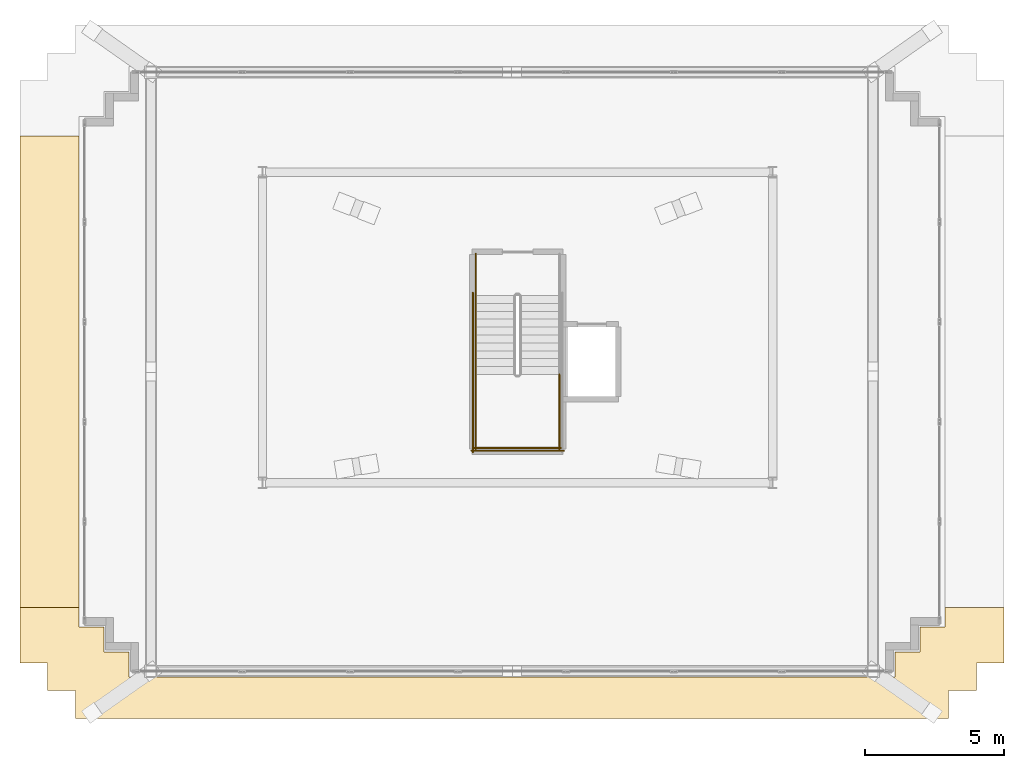
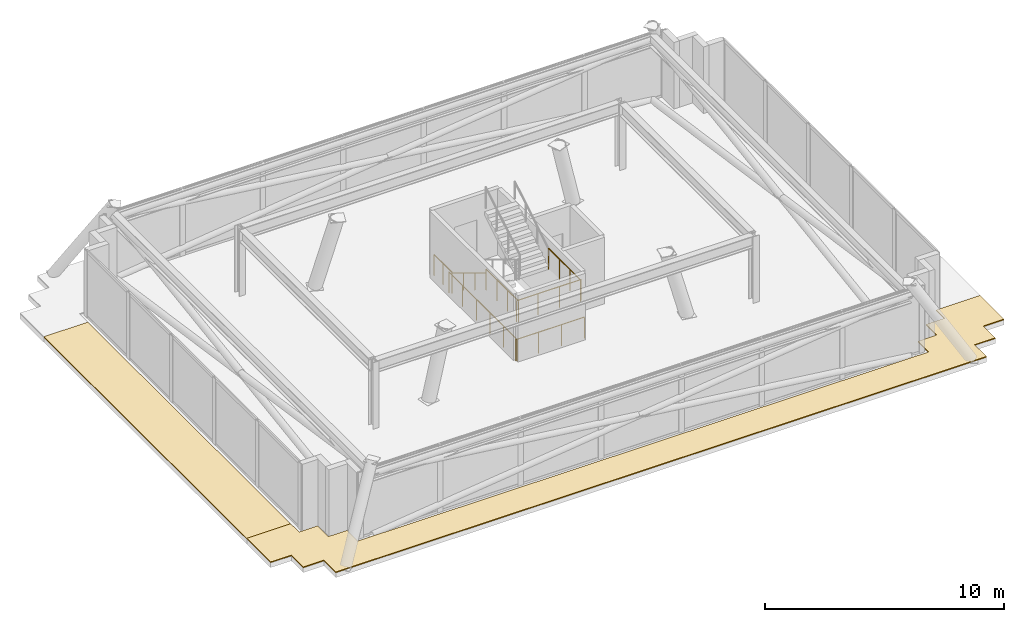
# One storey, part 13 of 15: 7 railings, 2 coverings.
"""IFC4 building model written with IfcOpenShell, lengths in metres."""

from ifc_helpers import new_model, si_unit, direction, frame, origin, origin_2d, place, context, subcontext, project, spatial, polyline, circle, outline, extrude, material, layer, layer_set, type_object, element, save


model = new_model("IFC4")

# Units and contexts
model_context = context("Model", 3, precision=1e-05, world=origin(), true_north=direction((0.0, 1.0)))
body_context = subcontext(model_context, "Body", "Model", "MODEL_VIEW")
ifc_project = project(units=[si_unit("LENGTHUNIT", "METRE"), si_unit("AREAUNIT", "SQUARE_METRE"), si_unit("VOLUMEUNIT", "CUBIC_METRE"), si_unit("PLANEANGLEUNIT", "RADIAN"), si_unit("MASSUNIT", "GRAM", prefix="KILO")], contexts=[model_context])

# Site, building, storey
site_placement = place(None, origin())
site = spatial("IfcSite", under=ifc_project, at=site_placement, CompositionType="ELEMENT")
building_placement = place(site_placement, origin())
building = spatial("IfcBuilding", under=site, at=building_placement, Name="Qobustan Lattice House", CompositionType="ELEMENT")
storey_placement = place(building_placement, frame((0.0, 0.0, 281.60009765625)))
storey = spatial("IfcBuildingStorey", under=building, at=storey_placement, Name="L79", CompositionType="ELEMENT", Elevation=281.60009765625)

# Coverings
ifc_material_1 = material(Name="Insulated stone-ballasted roof membrane", Category="masonry")
ifc_layer = layer(ifc_material_1, 0.050048828125)
ifc_layer_set = layer_set([ifc_layer], Name="Insulated stone-ballasted roof membrane")
covering_type = type_object("IfcCoveringType", Name="COV-ROOF-MEMB", PredefinedType="ROOFING", material=ifc_layer_set)
covering_1_placement = place(storey_placement, origin())
element("IfcCovering", 1, at=covering_1_placement, inside=storey, type_object=covering_type, Name="L79 crown step roof membrane 1", PredefinedType="ROOFING", context=body_context, shape_type="SweptSolid", body=[
    extrude(outline(polyline([(-15.946533203125, -13.103515625), (-15.946533203125, -14.103515625), (15.54638671875, -14.103515625), (15.54638671875, -13.103515625), (16.54638671875, -13.103515625), (16.54638671875, -12.103515625), (17.54638671875, -12.103515625), (17.54638671875, -10.10498046875), (15.419921875, -10.10498046875), (15.419921875, -10.804931640625), (14.52001953125, -10.804931640625), (14.52001953125, -11.705078125), (13.6201171875, -11.705078125), (13.6201171875, -12.60498046875), (-14.02001953125, -12.60498046875), (-14.02001953125, -11.705078125), (-14.919921875, -11.705078125), (-14.919921875, -10.804931640625), (-15.820068359375, -10.804931640625), (-15.820068359375, -10.10498046875), (-17.946533203125, -10.10498046875), (-17.946533203125, -12.103515625), (-16.946533203125, -12.103515625), (-16.946533203125, -13.103515625), (-15.946533203125, -13.103515625)])), origin(), (0.0, 0.0, 1.0), 0.0498046875),
])
covering_2_placement = place(storey_placement, origin())
element("IfcCovering", 2, at=covering_2_placement, inside=storey, type_object=covering_type, Name="L79 crown step roof membrane 3", PredefinedType="ROOFING", context=body_context, shape_type="SweptSolid", body=[
    extrude(outline(polyline([(-17.946533203125, -10.10498046875), (-15.820068359375, -10.10498046875), (-15.820068359375, 6.905029296875), (-17.946533203125, 6.905029296875), (-17.946533203125, -10.10498046875)])), origin(), (0.0, 0.0, 1.0), 0.0498046875),
])

# Railings
ifc_material_2 = material(Name="Brushed stainless steel handrail", Category="steel")
railing_type_1 = type_object("IfcRailingType", Name="RAL-HR-920", PredefinedType="HANDRAIL", material=ifc_material_2)
railing_1_placement = place(storey_placement, frame((-1.510009765625, 1.14990234375, 0.172607421875)))
element("IfcRailing", 3, at=railing_1_placement, inside=storey, type_object=railing_type_1, Name="L79 ST-C1 stair handrail 1", PredefinedType="HANDRAIL", context=body_context, shape_type="SweptSolid", body=[
    extrude(circle(Radius=0.02392578125, at=origin_2d()), frame((0.0, 0.0, 0.8759765625), z_axis=(0.0, -0.855183070636, 0.518326070826), x_axis=(1.0, 0.0, 0.0)), (0.0, 0.0, 1.0), 3.33251953125),
    extrude(circle(Radius=0.02099609375, at=origin_2d()), origin(), (0.0, 0.0, 1.0), 0.851806640625),
    extrude(circle(Radius=0.02099609375, at=origin_2d()), frame((0.0, -0.949951171875, 0.57568359375)), (0.0, 0.0, 1.0), 0.851806640625),
    extrude(circle(Radius=0.02099609375, at=origin_2d()), frame((0.0, -1.89990234375, 1.151611328125)), (0.0, 0.0, 1.0), 0.851806640625),
    extrude(circle(Radius=0.02099609375, at=origin_2d()), frame((0.0, -2.849853515625, 1.727294921875)), (0.0, 0.0, 1.0), 0.851806640625),
])
ifc_material_3 = material(Name="Painted galvanized steel guardrail", Category="steel")
railing_type_2 = type_object("IfcRailingType", Name="RAL-STG-1150", PredefinedType="GUARDRAIL", material=ifc_material_3)
for number, where, name in (
    (4, (-1.510009765625, -1.699951171875, 1.89990234375), "L79 ST-C1 stair guard 3"),
    (5, (1.510009765625, -1.699951171875, 1.89990234375), "L79 ST-C1 stair guard 4"),
):
    element("IfcRailing", number, at=place(storey_placement, frame(where)), inside=storey, type_object=railing_type_2, Name=name, PredefinedType="GUARDRAIL", context=body_context, shape_type="SweptSolid", body=[
        extrude(circle(Radius=0.02392578125, at=origin_2d()), frame((0.0, 0.0, 1.076171875), z_axis=(0.0, -1.0, 0.0), x_axis=(1.0, 0.0, 0.0)), (0.0, 0.0, 1.0), 2.699951171875),
        extrude(circle(Radius=0.02099609375, at=origin_2d()), origin(), (0.0, 0.0, 1.0), 1.052001953125),
        extrude(circle(Radius=0.02099609375, at=origin_2d()), frame((0.0, -0.89990234375, 0.0)), (0.0, 0.0, 1.0), 1.052001953125),
        extrude(circle(Radius=0.02099609375, at=origin_2d()), frame((0.0, -1.800048828125, 0.0)), (0.0, 0.0, 1.0), 1.052001953125),
        extrude(circle(Radius=0.02099609375, at=origin_2d()), frame((0.0, -2.699951171875, 0.0)), (0.0, 0.0, 1.0), 1.052001953125),
    ])
railing_2_placement = place(storey_placement, frame((-1.56005859375, -4.35009765625, 1.89990234375)))
element("IfcRailing", 6, at=railing_2_placement, inside=storey, type_object=railing_type_2, Name="L79 ST-C1 stair guard 5", PredefinedType="GUARDRAIL", context=body_context, shape_type="SweptSolid", body=[
    extrude(circle(Radius=0.02392578125, at=origin_2d()), frame((0.0, 0.0, 1.076171875), z_axis=(1.0, 0.0, 0.0), x_axis=(0.0, 1.0, 0.0)), (0.0, 0.0, 1.0), 3.1201171875),
    extrude(circle(Radius=0.02099609375, at=origin_2d()), origin(), (0.0, 0.0, 1.0), 1.052001953125),
    extrude(circle(Radius=0.02099609375, at=origin_2d()), frame((1.0400390625, 0.0, 0.0)), (0.0, 0.0, 1.0), 1.052001953125),
    extrude(circle(Radius=0.02099609375, at=origin_2d()), frame((2.080078125, 0.0, 0.0)), (0.0, 0.0, 1.0), 1.052001953125),
    extrude(circle(Radius=0.02099609375, at=origin_2d()), frame((3.1201171875, 0.0, 0.0)), (0.0, 0.0, 1.0), 1.052001953125),
])
railing_3_placement = place(storey_placement, frame((-1.510009765625, 2.64990234375, 0.0)))
element("IfcRailing", 7, at=railing_3_placement, inside=storey, type_object=railing_type_2, Name="L79 ST-C1 stair guard 8", PredefinedType="GUARDRAIL", context=body_context, shape_type="SweptSolid", body=[
    extrude(circle(Radius=0.02392578125, at=origin_2d()), frame((0.0, 0.0, 1.076171875), z_axis=(0.0, -1.0, 0.0), x_axis=(1.0, 0.0, 0.0)), (0.0, 0.0, 1.0), 1.5),
    extrude(circle(Radius=0.02099609375, at=origin_2d()), origin(), (0.0, 0.0, 1.0), 1.052001953125),
    extrude(circle(Radius=0.02099609375, at=origin_2d()), frame((0.0, -0.75, 0.0)), (0.0, 0.0, 1.0), 1.052001953125),
    extrude(circle(Radius=0.02099609375, at=origin_2d()), frame((0.0, -1.5, 0.0)), (0.0, 0.0, 1.0), 1.052001953125),
])
railing_4_placement = place(storey_placement, frame((-1.610107421875, 1.25, 0.0)))
element("IfcRailing", 8, at=railing_4_placement, inside=storey, type_object=railing_type_2, Name="L79 ST-C1 stair guard 10", PredefinedType="GUARDRAIL", context=body_context, shape_type="SweptSolid", body=[
    extrude(circle(Radius=0.02392578125, at=origin_2d()), frame((0.0, 0.0, 1.076171875), z_axis=(0.0, -1.0, 0.0), x_axis=(1.0, 0.0, 0.0)), (0.0, 0.0, 1.0), 5.75),
    extrude(circle(Radius=0.02099609375, at=origin_2d()), origin(), (0.0, 0.0, 1.0), 1.052001953125),
    extrude(circle(Radius=0.02099609375, at=origin_2d()), frame((0.0, -1.14990234375, 0.0)), (0.0, 0.0, 1.0), 1.052001953125),
    extrude(circle(Radius=0.02099609375, at=origin_2d()), frame((0.0, -2.300048828125, 0.0)), (0.0, 0.0, 1.0), 1.052001953125),
    extrude(circle(Radius=0.02099609375, at=origin_2d()), frame((0.0, -3.449951171875, 0.0)), (0.0, 0.0, 1.0), 1.052001953125),
    extrude(circle(Radius=0.02099609375, at=origin_2d()), frame((0.0, -4.60009765625, 0.0)), (0.0, 0.0, 1.0), 1.052001953125),
    extrude(circle(Radius=0.02099609375, at=origin_2d()), frame((0.0, -5.75, 0.0)), (0.0, 0.0, 1.0), 1.052001953125),
])
railing_5_placement = place(storey_placement, frame((-1.659912109375, -4.449951171875, 0.0)))
element("IfcRailing", 9, at=railing_5_placement, inside=storey, type_object=railing_type_2, Name="L79 ST-C1 stair guard 12", PredefinedType="GUARDRAIL", context=body_context, shape_type="SweptSolid", body=[
    extrude(circle(Radius=0.02392578125, at=origin_2d()), frame((0.0, 0.0, 1.076171875), z_axis=(1.0, 0.0, 0.0), x_axis=(0.0, 1.0, 0.0)), (0.0, 0.0, 1.0), 3.31982421875),
    extrude(circle(Radius=0.02099609375, at=origin_2d()), origin(), (0.0, 0.0, 1.0), 1.052001953125),
    extrude(circle(Radius=0.02099609375, at=origin_2d()), frame((1.106689453125, 0.0, 0.0)), (0.0, 0.0, 1.0), 1.052001953125),
    extrude(circle(Radius=0.02099609375, at=origin_2d()), frame((2.213134765625, 0.0, 0.0)), (0.0, 0.0, 1.0), 1.052001953125),
    extrude(circle(Radius=0.02099609375, at=origin_2d()), frame((3.31982421875, 0.0, 0.0)), (0.0, 0.0, 1.0), 1.052001953125),
])

save(model, "model.ifc")
